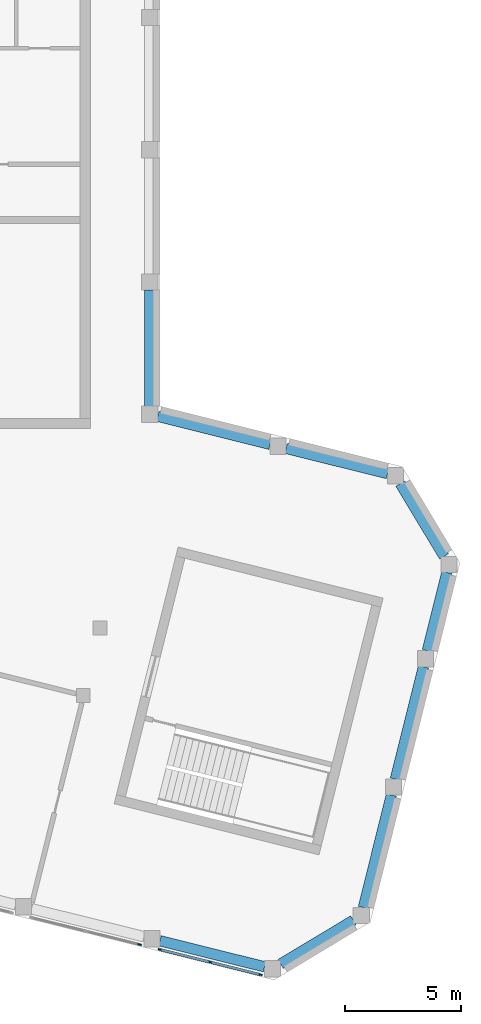
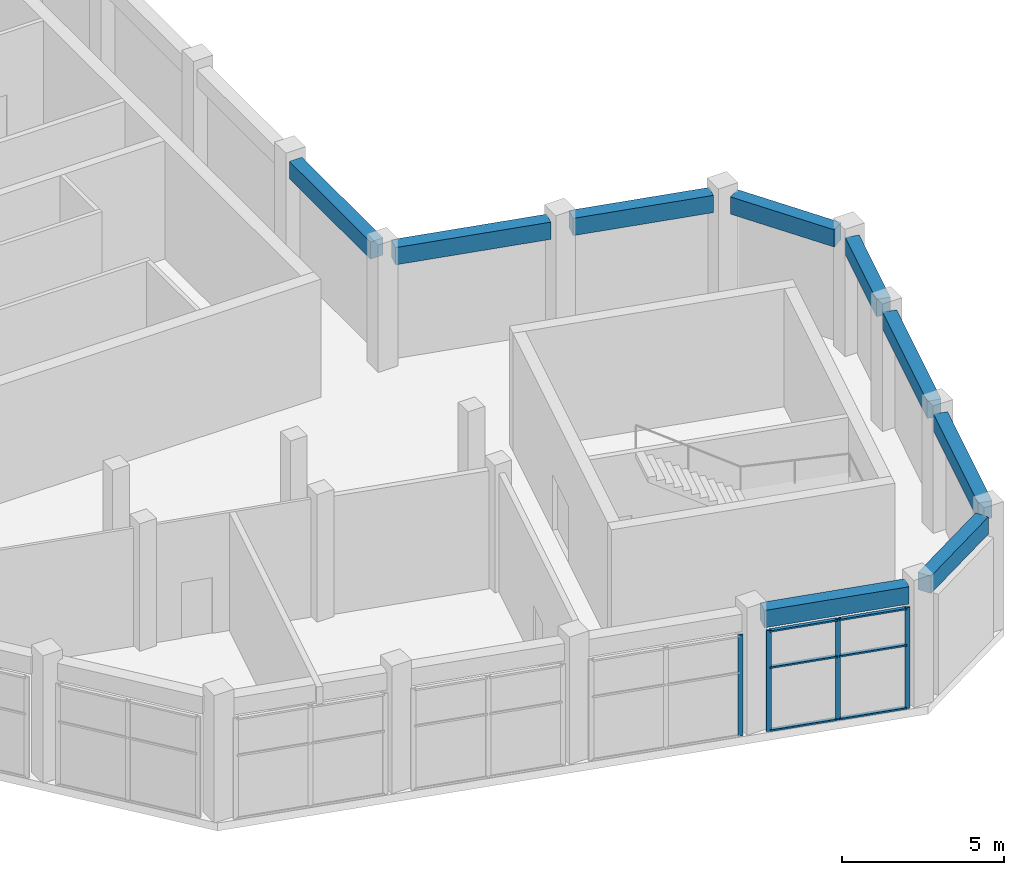
# One storey, part 4 of 10: 10 members, 9 beams, 2 elements without a shape of their own.
"""IFC4 building model written with IfcOpenShell, lengths in metres."""

from ifc_helpers import new_model, si_unit, direction, frame, origin, origin_2d, place, context, subcontext, project, spatial, rectangle, extrude, material, material_profile, profile_set, type_object, element, aggregate, save


model = new_model("IFC4")

# Units and contexts
model_context = context("Model", 3, precision=1e-05, world=origin(), true_north=direction((0.0, 1.0)))
body_context = subcontext(model_context, "Body", "Model", "MODEL_VIEW")
ifc_project = project(units=[si_unit("LENGTHUNIT", "METRE"), si_unit("AREAUNIT", "SQUARE_METRE"), si_unit("VOLUMEUNIT", "CUBIC_METRE"), si_unit("PLANEANGLEUNIT", "RADIAN"), si_unit("MASSUNIT", "GRAM", prefix="KILO")], contexts=[model_context])

# Site, building, storey
site_placement = place(None, origin())
site = spatial("IfcSite", under=ifc_project, at=site_placement, CompositionType="ELEMENT")
building_placement = place(site_placement, origin())
building = spatial("IfcBuilding", under=site, at=building_placement, Name="Meshkara Civic Tower", CompositionType="ELEMENT")
storey_placement = place(building_placement, frame((0.0, 0.0, 424.199951171875)))
storey = spatial("IfcBuildingStorey", under=building, at=storey_placement, Name="L97 Crown", CompositionType="ELEMENT", Elevation=424.199951171875)

# Curtain wall, member
ifc_material_1 = material(Name="Tinted double glazing", Category="glass")
curtain_wall_type = type_object("IfcCurtainWallType", Name="CW CROWN LANTERN", PredefinedType="NOTDEFINED", material=ifc_material_1)
curtain_wall_1_placement = place(storey_placement, origin())
curtain_wall_1 = element("IfcCurtainWall", 1, at=curtain_wall_1_placement, inside=storey, type_object=curtain_wall_type, Name="Curtain wall CW3", PredefinedType="NOTDEFINED")
ifc_material_2 = material(Name="Bronze anodised aluminium", Category="aluminium")
ifc_material_profile_1 = material_profile(ifc_material_2, rectangle(XDim=0.06005859375, YDim=0.159912109375, at=origin_2d()))
ifc_profile_set_1 = profile_set([ifc_material_profile_1], Name="Bronze anodised aluminium")
member_type_1 = type_object("IfcMemberType", Name="CW MULLION 60x160", PredefinedType="MULLION", material=ifc_profile_set_1)
member_1_placement = place(storey_placement, frame((32.912841796875, -8.123779296875, 0.0), z_axis=(0.0, 0.0, 1.0), x_axis=(0.241953670576, 0.970287803332, 0.0)))
member_1 = element("IfcMember", 2, at=member_1_placement, type_object=member_type_1, Name="CW3 mullion 3", PredefinedType="MULLION", context=body_context, shape_type="SweptSolid", body=[
    extrude(rectangle(XDim=0.06005859375, YDim=0.159912109375, at=origin_2d()), origin(), (0.0, 0.0, 1.0), 3.800048828125),
])
aggregate(curtain_wall_1, [member_1])

# Curtain wall, members
curtain_wall_2_placement = place(storey_placement, origin())
curtain_wall_2 = element("IfcCurtainWall", 3, at=curtain_wall_2_placement, inside=storey, type_object=curtain_wall_type, Name="Curtain wall CW3", PredefinedType="NOTDEFINED")
member_2_placement = place(storey_placement, frame((33.794189453125, -8.34326171875, 0.0), z_axis=(0.0, 0.0, 1.0), x_axis=(0.242066172912, 0.970259742508, 0.0)))
member_2 = element("IfcMember", 4, at=member_2_placement, type_object=member_type_1, Name="CW3 mullion 1", PredefinedType="MULLION", context=body_context, shape_type="SweptSolid", body=[
    extrude(rectangle(XDim=0.06005859375, YDim=0.159912109375, at=origin_2d()), origin(), (0.0, 0.0, 1.0), 3.800048828125),
])
member_3_placement = place(storey_placement, frame((35.95361328125, -8.882080078125, 0.0), z_axis=(0.0, 0.0, 1.0), x_axis=(0.242066172912, 0.970259742508, 0.0)))
member_3 = element("IfcMember", 5, at=member_3_placement, type_object=member_type_1, Name="CW3 mullion 2", PredefinedType="MULLION", context=body_context, shape_type="SweptSolid", body=[
    extrude(rectangle(XDim=0.06005859375, YDim=0.159912109375, at=origin_2d()), origin(), (0.0, 0.0, 1.0), 3.800048828125),
])
member_4_placement = place(storey_placement, frame((38.11279296875, -9.420654296875, 0.0), z_axis=(0.0, 0.0, 1.0), x_axis=(0.242066172912, 0.970259742508, 0.0)))
member_4 = element("IfcMember", 6, at=member_4_placement, type_object=member_type_1, Name="CW3 mullion 3", PredefinedType="MULLION", context=body_context, shape_type="SweptSolid", body=[
    extrude(rectangle(XDim=0.06005859375, YDim=0.159912109375, at=origin_2d()), origin(), (0.0, 0.0, 1.0), 3.800048828125),
])
ifc_material_3 = material(Name="Bronze anodised aluminium", Category="aluminium")
ifc_material_profile_2 = material_profile(ifc_material_3, rectangle(XDim=0.1201171875, YDim=0.06005859375, at=origin_2d()))
ifc_profile_set_2 = profile_set([ifc_material_profile_2], Name="Bronze anodised aluminium")
member_type_2 = type_object("IfcMemberType", Name="CW TRANSOM 60x120", PredefinedType="USERDEFINED", material=ifc_profile_set_2)
member_5_placement = place(storey_placement, frame((33.8232421875, -8.3505859375, 0.030029296875), z_axis=(0.970261757022, -0.242058098109, 0.0), x_axis=(0.242058098109, 0.970261757022, 0.0)))
member_5 = element("IfcMember", 7, at=member_5_placement, type_object=member_type_2, Name="CW3 transom 1.1", ObjectType="TRANSOM", PredefinedType="USERDEFINED", context=body_context, shape_type="SweptSolid", body=[
    extrude(rectangle(XDim=0.1201171875, YDim=0.06005859375, at=origin_2d()), origin(), (0.0, 0.0, 1.0), 2.16552734375),
])
member_6_placement = place(storey_placement, frame((33.8232421875, -8.3505859375, 2.400146484375), z_axis=(0.970261757022, -0.242058098109, 0.0), x_axis=(0.242058098109, 0.970261757022, 0.0)))
member_6 = element("IfcMember", 8, at=member_6_placement, type_object=member_type_2, Name="CW3 transom 1.2", ObjectType="TRANSOM", PredefinedType="USERDEFINED", context=body_context, shape_type="SweptSolid", body=[
    extrude(rectangle(XDim=0.1201171875, YDim=0.06005859375, at=origin_2d()), origin(), (0.0, 0.0, 1.0), 2.16552734375),
])
member_7_placement = place(storey_placement, frame((33.8232421875, -8.3505859375, 3.77001953125), z_axis=(0.970261757022, -0.242058098109, 0.0), x_axis=(0.242058098109, 0.970261757022, 0.0)))
member_7 = element("IfcMember", 9, at=member_7_placement, type_object=member_type_2, Name="CW3 transom 1.3", ObjectType="TRANSOM", PredefinedType="USERDEFINED", context=body_context, shape_type="SweptSolid", body=[
    extrude(rectangle(XDim=0.1201171875, YDim=0.06005859375, at=origin_2d()), origin(), (0.0, 0.0, 1.0), 2.16552734375),
])
member_8_placement = place(storey_placement, frame((35.982666015625, -8.88916015625, 0.030029296875), z_axis=(0.970235273274, -0.24216423042, 0.0), x_axis=(0.24216423042, 0.970235273274, 0.0)))
member_8 = element("IfcMember", 10, at=member_8_placement, type_object=member_type_2, Name="CW3 transom 2.1", ObjectType="TRANSOM", PredefinedType="USERDEFINED", context=body_context, shape_type="SweptSolid", body=[
    extrude(rectangle(XDim=0.1201171875, YDim=0.06005859375, at=origin_2d()), origin(), (0.0, 0.0, 1.0), 2.16552734375),
])
member_9_placement = place(storey_placement, frame((35.982666015625, -8.88916015625, 2.400146484375), z_axis=(0.970235273274, -0.24216423042, 0.0), x_axis=(0.24216423042, 0.970235273274, 0.0)))
member_9 = element("IfcMember", 11, at=member_9_placement, type_object=member_type_2, Name="CW3 transom 2.2", ObjectType="TRANSOM", PredefinedType="USERDEFINED", context=body_context, shape_type="SweptSolid", body=[
    extrude(rectangle(XDim=0.1201171875, YDim=0.06005859375, at=origin_2d()), origin(), (0.0, 0.0, 1.0), 2.16552734375),
])
member_10_placement = place(storey_placement, frame((35.982666015625, -8.88916015625, 3.77001953125), z_axis=(0.970235273274, -0.24216423042, 0.0), x_axis=(0.24216423042, 0.970235273274, 0.0)))
member_10 = element("IfcMember", 12, at=member_10_placement, type_object=member_type_2, Name="CW3 transom 2.3", ObjectType="TRANSOM", PredefinedType="USERDEFINED", context=body_context, shape_type="SweptSolid", body=[
    extrude(rectangle(XDim=0.1201171875, YDim=0.06005859375, at=origin_2d()), origin(), (0.0, 0.0, 1.0), 2.16552734375),
])
aggregate(curtain_wall_2, [member_2, member_3, member_4, member_5, member_6, member_7, member_8, member_9, member_10])

# Beams
ifc_material_4 = material(Name="Concrete C50", Category="concrete")
ifc_material_profile_3 = material_profile(ifc_material_4, rectangle(XDim=0.449951171875, YDim=0.64990234375, at=origin_2d()))
ifc_profile_set_3 = profile_set([ifc_material_profile_3], Name="Concrete C50")
beam_type = type_object("IfcBeamType", Name="Spandrel beam RC 450x650 C50", PredefinedType="BEAM", material=ifc_profile_set_3)
beam_1_placement = place(storey_placement, frame((38.535888671875, 13.426025390625, 4.125), z_axis=(-0.970303486882, 0.241890767382, 0.0), x_axis=(-0.241890767382, -0.970303486882, 0.0)))
element("IfcBeam", 13, at=beam_1_placement, inside=storey, type_object=beam_type, Name="Spandrel beam BN01-HE00", PredefinedType="BEAM", context=body_context, shape_type="SweptSolid", body=[
    extrude(rectangle(XDim=0.449951171875, YDim=0.64990234375, at=origin_2d()), origin(), (0.0, 0.0, 1.0), 4.989013671875),
])
beam_2_placement = place(storey_placement, frame((33.35009765625, 15.06396484375, 4.125), z_axis=(0.0, 1.0, 0.0), x_axis=(-1.0, 0.0, 0.0)))
element("IfcBeam", 14, at=beam_2_placement, inside=storey, type_object=beam_type, Name="Spandrel beam HE00-HE01", PredefinedType="BEAM", context=body_context, shape_type="SweptSolid", body=[
    extrude(rectangle(XDim=0.449951171875, YDim=0.64990234375, at=origin_2d()), origin(), (0.0, 0.0, 1.0), 5.010009765625),
])
beam_3_placement = place(storey_placement, frame((33.7880859375, -7.9609375, 4.125), z_axis=(0.970315289875, -0.24184341677, 0.0), x_axis=(0.24184341677, 0.970315289875, 0.0)))
element("IfcBeam", 15, at=beam_3_placement, inside=storey, type_object=beam_type, Name="Spandrel beam BS03-BSEP8", PredefinedType="BEAM", context=body_context, shape_type="SweptSolid", body=[
    extrude(rectangle(XDim=0.449951171875, YDim=0.64990234375, at=origin_2d()), origin(), (0.0, 0.0, 1.0), 4.647705078125),
])
beam_4_placement = place(storey_placement, frame((38.98876953125, -8.96337890625, 4.125), z_axis=(0.857121599939, 0.51511412611, 0.0), x_axis=(-0.51511412611, 0.857121599939, 0.0)))
element("IfcBeam", 16, at=beam_4_placement, inside=storey, type_object=beam_type, Name="Spandrel beam BSEP8-BToEP8", PredefinedType="BEAM", context=body_context, shape_type="SweptSolid", body=[
    extrude(rectangle(XDim=0.449951171875, YDim=0.64990234375, at=origin_2d()), origin(), (0.0, 0.0, 1.0), 3.656982421875),
])
beam_5_placement = place(storey_placement, frame((42.55517578125, -6.52685546875, 4.125), z_axis=(0.241890767382, 0.970303486882, 0.0), x_axis=(-0.970303486882, 0.241890767382, 0.0)))
element("IfcBeam", 17, at=beam_5_placement, inside=storey, type_object=beam_type, Name="Spandrel beam BT01-P8-BToEP8", PredefinedType="BEAM", context=body_context, shape_type="SweptSolid", body=[
    extrude(rectangle(XDim=0.449951171875, YDim=0.64990234375, at=origin_2d()), origin(), (0.0, 0.0, 1.0), 4.989013671875),
])
beam_6_placement = place(storey_placement, frame((43.93408203125, -0.995849609375, 4.125), z_axis=(0.241936718437, 0.970292030407, 0.0), x_axis=(-0.970292030407, 0.241936718437, 0.0)))
element("IfcBeam", 18, at=beam_6_placement, inside=storey, type_object=beam_type, Name="Spandrel beam BT01-P8-BT02-P8", PredefinedType="BEAM", context=body_context, shape_type="SweptSolid", body=[
    extrude(rectangle(XDim=0.449951171875, YDim=0.64990234375, at=origin_2d()), origin(), (0.0, 0.0, 1.0), 4.988037109375),
])
beam_7_placement = place(storey_placement, frame((45.31298828125, 4.5341796875, 4.125), z_axis=(0.241891057525, 0.970303414551, 0.0), x_axis=(-0.970303414551, 0.241891057525, 0.0)))
element("IfcBeam", 19, at=beam_7_placement, inside=storey, type_object=beam_type, Name="Spandrel beam BT02-P8-BTEP8", PredefinedType="BEAM", context=body_context, shape_type="SweptSolid", body=[
    extrude(rectangle(XDim=0.449951171875, YDim=0.64990234375, at=origin_2d()), origin(), (0.0, 0.0, 1.0), 3.47607421875),
])
beam_8_placement = place(storey_placement, frame((46.0322265625, 8.59765625, 4.125), z_axis=(-0.51503560536, 0.857168784553, 0.0), x_axis=(-0.857168784553, -0.51503560536, 0.0)))
element("IfcBeam", 20, at=beam_8_placement, inside=storey, type_object=beam_type, Name="Spandrel beam BTEP8-BTi00-P8", PredefinedType="BEAM", context=body_context, shape_type="SweptSolid", body=[
    extrude(rectangle(XDim=0.449951171875, YDim=0.64990234375, at=origin_2d()), origin(), (0.0, 0.0, 1.0), 3.6572265625),
])
beam_9_placement = place(storey_placement, frame((43.595947265625, 12.1640625, 4.125), z_axis=(-0.970279460943, 0.241987122948, 0.0), x_axis=(-0.241987122948, -0.970279460943, 0.0)))
element("IfcBeam", 21, at=beam_9_placement, inside=storey, type_object=beam_type, Name="Spandrel beam BN01-BTi00-P8", PredefinedType="BEAM", context=body_context, shape_type="SweptSolid", body=[
    extrude(rectangle(XDim=0.449951171875, YDim=0.64990234375, at=origin_2d()), origin(), (0.0, 0.0, 1.0), 4.503662109375),
])

save(model, "model.ifc")
